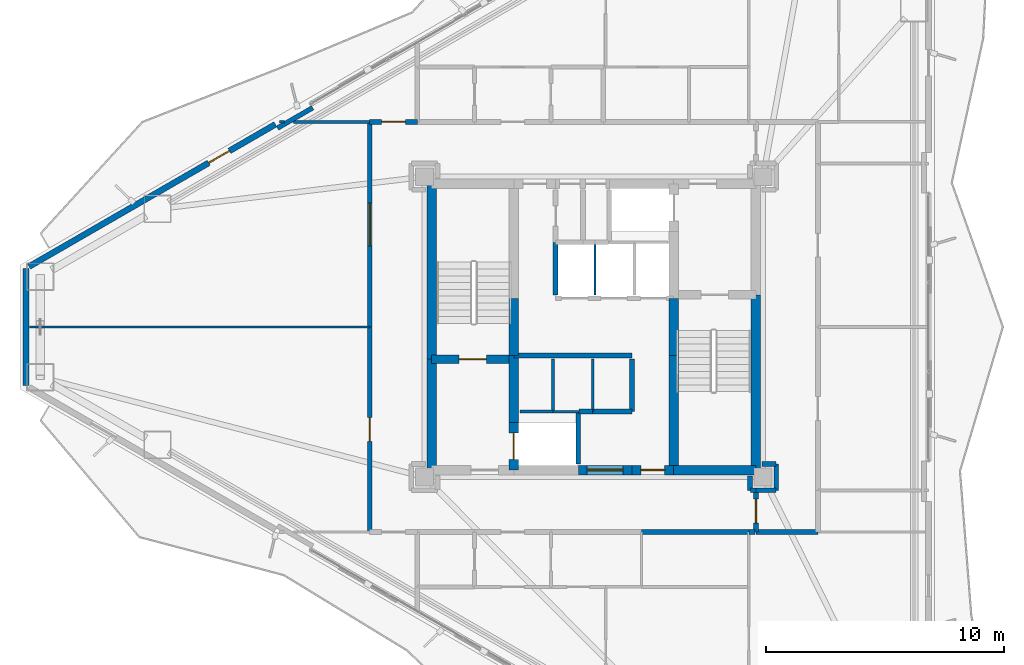
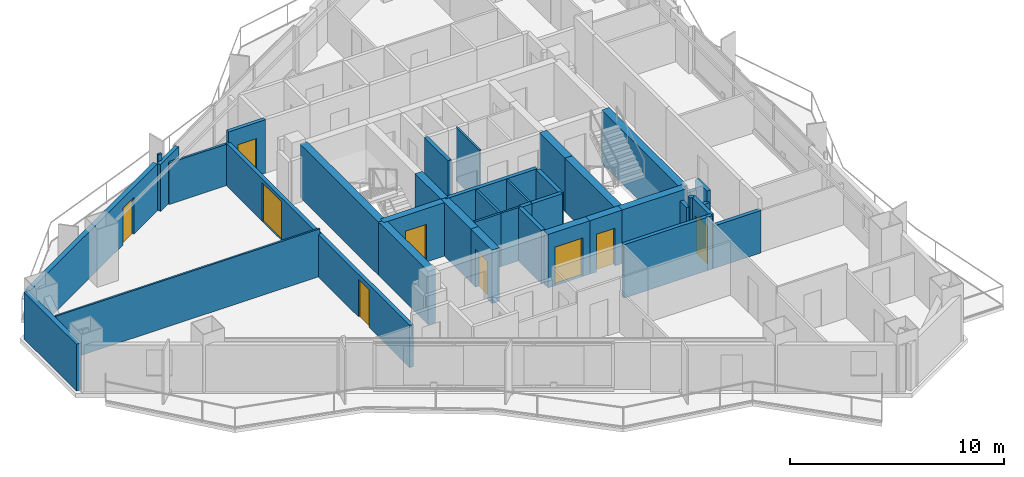
# One storey, part 16 of 22: 41 walls, 9 doors, 9 openings.
"""IFC4 building model written with IfcOpenShell, lengths in metres."""

from ifc_helpers import new_model, si_unit, direction, frame, frame_2d, origin, place, context, subcontext, project, spatial, rectangle, extrude, material, layer, layer_set, type_object, element, fill, save


model = new_model("IFC4")

# Units and contexts
model_context = context("Model", 3, precision=1e-05, world=origin(), true_north=direction((0.0, 1.0)))
body_context = subcontext(model_context, "Body", "Model", "MODEL_VIEW")
ifc_project = project(units=[si_unit("LENGTHUNIT", "METRE"), si_unit("AREAUNIT", "SQUARE_METRE"), si_unit("VOLUMEUNIT", "CUBIC_METRE"), si_unit("PLANEANGLEUNIT", "RADIAN"), si_unit("MASSUNIT", "GRAM", prefix="KILO")], contexts=[model_context])

# Site, building, storey
site_placement = place(None, origin())
site = spatial("IfcSite", under=ifc_project, at=site_placement, CompositionType="ELEMENT")
building_placement = place(site_placement, origin())
building = spatial("IfcBuilding", under=site, at=building_placement, Name="Mersakhor Tower and Convention Hall", CompositionType="ELEMENT")
storey_placement = place(building_placement, frame((0.0, 0.0, 109.800048828125)))
storey = spatial("IfcBuildingStorey", under=building, at=storey_placement, Name="L30", CompositionType="ELEMENT", Elevation=109.800048828125)

# Wall
ifc_material_1 = material(Name="Precast concrete C40/50", Category="concrete")
ifc_layer_1 = layer(ifc_material_1, 0.25)
ifc_layer_set_1 = layer_set([ifc_layer_1], Name="Precast concrete C40/50")
wall_type_1 = type_object("IfcWallType", Name="WL-EXT-250", PredefinedType="SOLIDWALL", material=ifc_layer_set_1)
wall_1_placement = place(storey_placement, frame((5.186767578125, 24.292724609375, 0.0), z_axis=(0.0, 0.0, 1.0), x_axis=(0.0, 1.0, 0.0)))
element("IfcWall", 1, at=wall_1_placement, inside=storey, type_object=wall_type_1, Name="L30 Chamfer Braced Spandrel Wall C3", PredefinedType="SOLIDWALL", context=body_context, shape_type="SweptSolid", body=[
    extrude(rectangle(XDim=4.91455078125, YDim=0.25, at=frame_2d((2.457275390625, 0.0))), origin(), (0.0, 0.0, 1.0), 2.669921875),
])

# Wall, opening, door
wall_2_placement = place(storey_placement, frame((5.316650390625, 29.2822265625, 0.0), z_axis=(0.0, 0.0, 1.0), x_axis=(0.866023023012, 0.500004123596, 0.0)))
wall_2 = element("IfcWall", 2, at=wall_2_placement, inside=storey, type_object=wall_type_1, Name="L30 Exterior Facade Wall F1-B1", PredefinedType="SOLIDWALL", context=body_context, shape_type="SweptSolid", body=[
    extrude(rectangle(XDim=11.9296875, YDim=0.25, at=frame_2d((5.96484375, 0.0))), origin(), (0.0, 0.0, 1.0), 2.669921875),
])
opening_1_placement = place(wall_2_placement, frame((8.7041015625, 0.0, 0.0)))
opening_1 = element("IfcOpeningElement", 3, at=opening_1_placement, cuts=wall_2, Name="Opening BD-01", PredefinedType="OPENING", context=body_context, shape_type="SweptSolid", body=[
    extrude(rectangle(XDim=1.0, YDim=2.10009765625, at=frame_2d((0.5, 1.050048828125))), frame((0.0, 0.135009765625, 0.0), z_axis=(0.0, -1.0, 0.0), x_axis=(1.0, 0.0, 0.0)), (0.0, 0.0, 1.0), 0.27001953125),
])
ifc_material_2 = material(Name="Thermally broken dark aluminium and safety glass", Category="aluminium")
door_type_1 = type_object("IfcDoorType", Name="DR-BAL-100x210", OperationType="NOTDEFINED", PredefinedType="DOOR", material=ifc_material_2)
door_1_placement = place(opening_1_placement, origin())
door_1 = element("IfcDoor", 4, at=door_1_placement, inside=storey, type_object=door_type_1, Name="L30 Balcony Terrace Door F1-B1", OperationType="SINGLE_SWING_LEFT", OverallHeight=2.10009765625, OverallWidth=1.0, PredefinedType="DOOR", context=body_context, shape_type="SweptSolid", body=[
    extrude(rectangle(XDim=1.0, YDim=2.10009765625, at=frame_2d((0.5, 1.050048828125))), frame((0.0, 0.02490234375, 0.0), z_axis=(0.0, -1.0, 0.0), x_axis=(1.0, 0.0, 0.0)), (0.0, 0.0, 1.0), 0.050048828125),
])
fill(opening_1, door_1)

# Walls
ifc_material_3 = material(Name="Precast concrete C40/50", Category="concrete")
ifc_layer_2 = layer(ifc_material_3, 0.199951171875)
ifc_layer_set_2 = layer_set([ifc_layer_2], Name="Precast concrete C40/50")
wall_type_2 = type_object("IfcWallType", Name="WL-PAR-200", PredefinedType="PARAPET", material=ifc_layer_set_2)
wall_3_placement = place(storey_placement, frame((15.73779296875, 35.091064453125, 0.0), z_axis=(0.0, 0.0, 1.0), x_axis=(0.866025371046, 0.500000056704, 0.0)))
element("IfcWall", 5, at=wall_3_placement, inside=storey, type_object=wall_type_2, Name="L30 Column Pier Cladding Wall F1-C1", PredefinedType="PARAPET", context=body_context, shape_type="SweptSolid", body=[
    extrude(rectangle(XDim=1.7001953125, YDim=0.199951171875, at=frame_2d((0.85009765625, 0.0))), origin(), (0.0, 0.0, 1.0), 2.669921875),
])
ifc_material_4 = material(Name="Lightweight gypsum partition", Category="other")
ifc_layer_3 = layer(ifc_material_4, 0.10009765625)
ifc_layer_set_3 = layer_set([ifc_layer_3], Name="Lightweight gypsum partition")
wall_type_3 = type_object("IfcWallType", Name="WL-PRT-100", PredefinedType="PARTITIONING", material=ifc_layer_set_3)
wall_4_placement = place(storey_placement, frame((27.300048828125, 23.199951171875, 0.0), z_axis=(0.0, 0.0, 1.0), x_axis=(1.0, 0.0, 0.0)))
element("IfcWall", 6, at=wall_4_placement, inside=storey, type_object=wall_type_3, Name="L30 Interior Partition Wall P-002", PredefinedType="PARTITIONING", context=body_context, shape_type="SweptSolid", body=[
    extrude(rectangle(XDim=1.050048828125, YDim=0.10009765625, at=frame_2d((0.52490234375, 0.0))), origin(), (0.0, 0.0, 1.0), 3.050048828125),
])
for number, where, z_axis, x_axis, name in (
    (7, (28.949951171875, 25.39990234375, 0.0), (0.0, 0.0, 1.0), (0.0, -1.0, 0.0), "L30 Interior Partition Wall P-008"),
    (8, (29.050048828125, 30.300048828125, 0.0), (0.0, 0.0, 1.0), (0.0, -1.0, 0.0), "L30 Interior Partition Wall P-014"),
):
    element("IfcWall", number, at=place(storey_placement, frame(where, z_axis=z_axis, x_axis=x_axis)), inside=storey, type_object=wall_type_3, Name=name, PredefinedType="PARTITIONING", context=body_context, shape_type="SweptSolid", body=[
        extrude(rectangle(XDim=2.199951171875, YDim=0.10009765625, at=frame_2d((1.10009765625, 0.0))), origin(), (0.0, 0.0, 1.0), 3.050048828125),
    ])
wall_5_placement = place(storey_placement, frame((16.026123046875, 35.35009765625, 0.0), z_axis=(0.0, 0.0, 1.0), x_axis=(-1.0, 0.0, 0.0)))
element("IfcWall", 9, at=wall_5_placement, inside=storey, type_object=wall_type_3, Name="L30 Interior Partition Wall P-080", PredefinedType="PARTITIONING", context=body_context, shape_type="SweptSolid", body=[
    extrude(rectangle(XDim=0.2001953125, YDim=0.10009765625, at=frame_2d((0.10009765625, 0.0))), origin(), (0.0, 0.0, 1.0), 3.050048828125),
])
wall_6_placement = place(storey_placement, frame((5.335693359375, 26.75, 0.0), z_axis=(0.0, 0.0, 1.0), x_axis=(1.0, 0.0, 0.0)))
element("IfcWall", 10, at=wall_6_placement, inside=storey, type_object=wall_type_3, Name="L30 Interior Partition Wall P-084", PredefinedType="PARTITIONING", context=body_context, shape_type="SweptSolid", body=[
    extrude(rectangle(XDim=14.264404296875, YDim=0.10009765625, at=frame_2d((7.13232421875, 0.0))), origin(), (0.0, 0.0, 1.0), 2.71435546875),
])
ifc_material_5 = material(Name="Gypsum board acoustic partition", Category="other")
ifc_layer_4 = layer(ifc_material_5, 0.125)
ifc_layer_set_4 = layer_set([ifc_layer_4], Name="Gypsum board acoustic partition")
wall_type_4 = type_object("IfcWallType", Name="WL-PRT-125", PredefinedType="PARTITIONING", material=ifc_layer_set_4)
wall_7_placement = place(storey_placement, frame((25.89990234375, 23.199951171875, 0.0), z_axis=(0.0, 0.0, 1.0), x_axis=(1.0, 0.0, 0.0)))
element("IfcWall", 11, at=wall_7_placement, inside=storey, type_object=wall_type_4, Name="L30 Interior Partition Wall P-001", PredefinedType="PARTITIONING", context=body_context, shape_type="SweptSolid", body=[
    extrude(rectangle(XDim=1.400146484375, YDim=0.125, at=frame_2d((0.7001953125, 0.0))), origin(), (0.0, 0.0, 1.0), 3.050048828125),
])
wall_8_placement = place(storey_placement, frame((27.300048828125, 25.39990234375, 0.0), z_axis=(0.0, 0.0, 1.0), x_axis=(0.0, -1.0, 0.0)))
element("IfcWall", 12, at=wall_8_placement, inside=storey, type_object=wall_type_4, Name="L30 Interior Partition Wall P-007", PredefinedType="PARTITIONING", context=body_context, shape_type="SweptSolid", body=[
    extrude(rectangle(XDim=2.199951171875, YDim=0.125, at=frame_2d((1.10009765625, 0.0))), origin(), (0.0, 0.0, 1.0), 3.050048828125),
])
wall_9_placement = place(storey_placement, frame((19.60009765625, 35.35009765625, 0.0), z_axis=(0.0, 0.0, 1.0), x_axis=(-1.0, 0.0, 0.0)))
element("IfcWall", 13, at=wall_9_placement, inside=storey, type_object=wall_type_4, Name="L30 Interior Partition Wall P-079", PredefinedType="PARTITIONING", context=body_context, shape_type="SweptSolid", body=[
    extrude(rectangle(XDim=3.188232421875, YDim=0.125, at=frame_2d((1.59423828125, 0.0))), origin(), (0.0, 0.0, 1.0), 2.364990234375),
])
ifc_material_6 = material(Name="Acoustic concrete blockwork and gypsum board", Category="masonry")
ifc_layer_5 = layer(ifc_material_6, 0.199951171875)
ifc_layer_set_5 = layer_set([ifc_layer_5], Name="Acoustic concrete blockwork and gypsum board")
wall_type_5 = type_object("IfcWallType", Name="WL-PRT-200", PredefinedType="PARTITIONING", material=ifc_layer_set_5)
wall_10_placement = place(storey_placement, frame((25.64990234375, 25.550048828125, 0.0), z_axis=(0.0, 0.0, 1.0), x_axis=(1.0, 0.0, 0.0)))
element("IfcWall", 14, at=wall_10_placement, inside=storey, type_object=wall_type_5, Name="L30 High-Rise Lift Bank Front Wall", PredefinedType="PARTITIONING", context=body_context, shape_type="SweptSolid", body=[
    extrude(rectangle(XDim=4.9501953125, YDim=0.199951171875, at=frame_2d((2.47509765625, 0.0))), origin(), (0.0, 0.0, 1.0), 3.050048828125),
])
wall_11_placement = place(storey_placement, frame((28.35009765625, 23.199951171875, 0.0), z_axis=(0.0, 0.0, 1.0), x_axis=(0.0, -1.0, 0.0)))
element("IfcWall", 15, at=wall_11_placement, inside=storey, type_object=wall_type_5, Name="L30 Interior Partition Wall P-003", PredefinedType="PARTITIONING", context=body_context, shape_type="SweptSolid", body=[
    extrude(rectangle(XDim=2.199951171875, YDim=0.199951171875, at=frame_2d((1.10009765625, 0.0))), origin(), (0.0, 0.0, 1.0), 3.050048828125),
])
wall_12_placement = place(storey_placement, frame((28.949951171875, 23.199951171875, 0.0), z_axis=(0.0, 0.0, 1.0), x_axis=(-1.0, 0.0, 0.0)))
element("IfcWall", 16, at=wall_12_placement, inside=storey, type_object=wall_type_5, Name="L30 Interior Partition Wall P-009", PredefinedType="PARTITIONING", context=body_context, shape_type="SweptSolid", body=[
    extrude(rectangle(XDim=0.570068359375, YDim=0.199951171875, at=frame_2d((0.28515625, 0.0))), origin(), (0.0, 0.0, 1.0), 3.050048828125),
])
wall_13_placement = place(storey_placement, frame((30.60009765625, 25.39990234375, 0.0), z_axis=(0.0, 0.0, 1.0), x_axis=(0.0, -1.0, 0.0)))
element("IfcWall", 17, at=wall_13_placement, inside=storey, type_object=wall_type_5, Name="L30 Interior Partition Wall P-010", PredefinedType="PARTITIONING", context=body_context, shape_type="SweptSolid", body=[
    extrude(rectangle(XDim=2.199951171875, YDim=0.199951171875, at=frame_2d((1.10009765625, 0.0))), origin(), (0.0, 0.0, 1.0), 3.050048828125),
])
wall_14_placement = place(storey_placement, frame((30.60009765625, 23.199951171875, 0.0), z_axis=(0.0, 0.0, 1.0), x_axis=(-1.0, 0.0, 0.0)))
element("IfcWall", 18, at=wall_14_placement, inside=storey, type_object=wall_type_5, Name="L30 Interior Partition Wall P-011", PredefinedType="PARTITIONING", context=body_context, shape_type="SweptSolid", body=[
    extrude(rectangle(XDim=1.650146484375, YDim=0.199951171875, at=frame_2d((0.8251953125, 0.0))), origin(), (0.0, 0.0, 1.0), 3.050048828125),
])
wall_15_placement = place(storey_placement, frame((27.39990234375, 28.10009765625, 0.0), z_axis=(0.0, 0.0, 1.0), x_axis=(0.0, 1.0, 0.0)))
element("IfcWall", 19, at=wall_15_placement, inside=storey, type_object=wall_type_5, Name="L30 Interior Partition Wall P-015", PredefinedType="PARTITIONING", context=body_context, shape_type="SweptSolid", body=[
    extrude(rectangle(XDim=2.199951171875, YDim=0.199951171875, at=frame_2d((1.10009765625, 0.0))), origin(), (0.0, 0.0, 1.0), 3.050048828125),
])
wall_16_placement = place(storey_placement, frame((35.550048828125, 20.5, 0.0), z_axis=(0.0, 0.0, 1.0), x_axis=(0.0, -1.0, 0.0)))
element("IfcWall", 20, at=wall_16_placement, inside=storey, type_object=wall_type_5, Name="L30 Interior Partition Wall P-021", PredefinedType="PARTITIONING", context=body_context, shape_type="SweptSolid", body=[
    extrude(rectangle(XDim=0.60009765625, YDim=0.199951171875, at=frame_2d((0.300048828125, 0.0))), origin(), (0.0, 0.0, 1.0), 2.498291015625),
])
wall_17_placement = place(storey_placement, frame((35.580078125, 19.89990234375, 0.0), z_axis=(0.0, 0.0, 1.0), x_axis=(1.0, 0.0, 0.0)))
element("IfcWall", 21, at=wall_17_placement, inside=storey, type_object=wall_type_5, Name="L30 Interior Partition Wall P-022", PredefinedType="PARTITIONING", context=body_context, shape_type="SweptSolid", body=[
    extrude(rectangle(XDim=0.219970703125, YDim=0.199951171875, at=frame_2d((0.10986328125, 0.0))), origin(), (0.0, 0.0, 1.0), 3.050048828125),
])

# Wall, opening, door
wall_18_placement = place(storey_placement, frame((35.800048828125, 19.89990234375, 0.0), z_axis=(0.0, 0.0, 1.0), x_axis=(0.0, -1.0, 0.0)))
wall_18 = element("IfcWall", 22, at=wall_18_placement, inside=storey, type_object=wall_type_5, Name="L30 Interior Partition Wall P-023", PredefinedType="PARTITIONING", context=body_context, shape_type="SweptSolid", body=[
    extrude(rectangle(XDim=1.75, YDim=0.199951171875, at=frame_2d((0.875, 0.0))), origin(), (0.0, 0.0, 1.0), 3.050048828125),
])
opening_2_placement = place(wall_18_placement, frame((0.375, 0.0, 0.0)))
opening_2 = element("IfcOpeningElement", 23, at=opening_2_placement, cuts=wall_18, Name="Opening FD-01", PredefinedType="OPENING", context=body_context, shape_type="SweptSolid", body=[
    extrude(rectangle(XDim=1.0, YDim=2.14990234375, at=frame_2d((0.5, 1.074951171875))), frame((0.0, 0.10986328125, 0.0), z_axis=(0.0, -1.0, 0.0), x_axis=(1.0, 0.0, 0.0)), (0.0, 0.0, 1.0), 0.219970703125),
])
ifc_material_7 = material(Name="Fire-rated hardwood leaf and painted steel frame", Category="steel")
door_type_2 = type_object("IfcDoorType", Name="DR-INT-FLT-100x215", OperationType="NOTDEFINED", PredefinedType="DOOR", material=ifc_material_7)
door_2_placement = place(opening_2_placement, origin())
door_2 = element("IfcDoor", 24, at=door_2_placement, inside=storey, type_object=door_type_2, Name="L30 Ring Corridor Fire Door", OperationType="SINGLE_SWING_LEFT", OverallHeight=2.14990234375, OverallWidth=1.0, PredefinedType="DOOR", context=body_context, shape_type="SweptSolid", body=[
    extrude(rectangle(XDim=1.0, YDim=2.14990234375, at=frame_2d((0.5, 1.074951171875))), frame((0.0, 0.02490234375, 0.0), z_axis=(0.0, -1.0, 0.0), x_axis=(1.0, 0.0, 0.0)), (0.0, 0.0, 1.0), 0.050048828125),
])
fill(opening_2, door_2)

# Walls
wall_19_placement = place(storey_placement, frame((35.77001953125, 18.14990234375, 0.0), z_axis=(0.0, 0.0, 1.0), x_axis=(-1.0, 0.0, 0.0)))
element("IfcWall", 25, at=wall_19_placement, inside=storey, type_object=wall_type_5, Name="L30 Interior Partition Wall P-024", PredefinedType="PARTITIONING", context=body_context, shape_type="SweptSolid", body=[
    extrude(rectangle(XDim=0.27001953125, YDim=0.199951171875, at=frame_2d((0.135009765625, 0.0))), origin(), (0.0, 0.0, 1.0), 3.050048828125),
])
wall_20_placement = place(storey_placement, frame((35.5, 18.14990234375, 0.0), z_axis=(0.0, 0.0, 1.0), x_axis=(-1.0, 0.0, 0.0)))
element("IfcWall", 26, at=wall_20_placement, inside=storey, type_object=wall_type_5, Name="L30 Interior Partition Wall P-025", PredefinedType="PARTITIONING", context=body_context, shape_type="SweptSolid", body=[
    extrude(rectangle(XDim=4.5, YDim=0.199951171875, at=frame_2d((2.25, 0.0))), origin(), (0.0, 0.0, 1.0), 3.050048828125),
])

# Wall, opening, door
wall_21_placement = place(storey_placement, frame((19.60009765625, 18.14990234375, 0.0), z_axis=(0.0, 0.0, 1.0), x_axis=(0.0, 1.0, 0.0)))
wall_21 = element("IfcWall", 27, at=wall_21_placement, inside=storey, type_object=wall_type_5, Name="L30 Interior Partition Wall P-030", PredefinedType="PARTITIONING", context=body_context, shape_type="SweptSolid", body=[
    extrude(rectangle(XDim=8.60009765625, YDim=0.199951171875, at=frame_2d((4.300048828125, 0.0))), origin(), (0.0, 0.0, 1.0), 2.4228515625),
])
opening_3_placement = place(wall_21_placement, frame((3.800048828125, 0.0, 0.0)))
opening_3 = element("IfcOpeningElement", 28, at=opening_3_placement, cuts=wall_21, Name="Opening FD-01", PredefinedType="OPENING", context=body_context, shape_type="SweptSolid", body=[
    extrude(rectangle(XDim=1.0, YDim=2.14990234375, at=frame_2d((0.5, 1.074951171875))), frame((0.0, 0.10986328125, 0.0), z_axis=(0.0, -1.0, 0.0), x_axis=(1.0, 0.0, 0.0)), (0.0, 0.0, 1.0), 0.219970703125),
])
door_3_placement = place(opening_3_placement, origin())
door_3 = element("IfcDoor", 29, at=door_3_placement, inside=storey, type_object=door_type_2, Name="L30 Residential Ring Corridor to L30 West Wing Shared Co-Working Office Door", OperationType="SINGLE_SWING_LEFT", OverallHeight=2.14990234375, OverallWidth=1.0, PredefinedType="DOOR", context=body_context, shape_type="SweptSolid", body=[
    extrude(rectangle(XDim=1.0, YDim=2.14990234375, at=frame_2d((0.5, 1.074951171875))), frame((0.0, 0.02490234375, 0.0), z_axis=(0.0, -1.0, 0.0), x_axis=(1.0, 0.0, 0.0)), (0.0, 0.0, 1.0), 0.050048828125),
])
fill(opening_3, door_3)

wall_22_placement = place(storey_placement, frame((19.60009765625, 26.75, 0.0), z_axis=(0.0, 0.0, 1.0), x_axis=(0.0, 1.0, 0.0)))
wall_22 = element("IfcWall", 30, at=wall_22_placement, inside=storey, type_object=wall_type_5, Name="L30 Interior Partition Wall P-031", PredefinedType="PARTITIONING", context=body_context, shape_type="SweptSolid", body=[
    extrude(rectangle(XDim=8.60009765625, YDim=0.199951171875, at=frame_2d((4.300048828125, 0.0))), origin(), (0.0, 0.0, 1.0), 2.4228515625),
])
opening_4_placement = place(wall_22_placement, frame((3.39990234375, 0.0, 0.0)))
opening_4 = element("IfcOpeningElement", 31, at=opening_4_placement, cuts=wall_22, Name="Opening HD-01", PredefinedType="OPENING", context=body_context, shape_type="SweptSolid", body=[
    extrude(rectangle(XDim=1.800048828125, YDim=2.199951171875, at=frame_2d((0.89990234375, 1.10009765625))), frame((0.0, 0.10986328125, 0.0), z_axis=(0.0, -1.0, 0.0), x_axis=(1.0, 0.0, 0.0)), (0.0, 0.0, 1.0), 0.219970703125),
])
ifc_material_8 = material(Name="Fire-rated hardwood leaf and painted steel frame", Category="steel")
door_type_3 = type_object("IfcDoorType", Name="DR-INT-HALL-180x220", OperationType="NOTDEFINED", PredefinedType="DOOR", material=ifc_material_8)
door_4_placement = place(opening_4_placement, origin())
door_4 = element("IfcDoor", 32, at=door_4_placement, inside=storey, type_object=door_type_3, Name="L30 Residential Ring Corridor to L30 West Wing Residents Library Hall Door", OperationType="DOUBLE_DOOR_SINGLE_SWING", OverallHeight=2.199951171875, OverallWidth=1.800048828125, PredefinedType="DOOR", context=body_context, shape_type="SweptSolid", body=[
    extrude(rectangle(XDim=1.800048828125, YDim=2.199951171875, at=frame_2d((0.89990234375, 1.10009765625))), frame((0.0, 0.02490234375, 0.0), z_axis=(0.0, -1.0, 0.0), x_axis=(1.0, 0.0, 0.0)), (0.0, 0.0, 1.0), 0.050048828125),
])
fill(opening_4, door_4)

wall_23_placement = place(storey_placement, frame((19.60009765625, 35.35009765625, 0.0), z_axis=(0.0, 0.0, 1.0), x_axis=(1.0, 0.0, 0.0)))
wall_23 = element("IfcWall", 33, at=wall_23_placement, inside=storey, type_object=wall_type_5, Name="L30 Interior Partition Wall P-032", PredefinedType="PARTITIONING", context=body_context, shape_type="SweptSolid", body=[
    extrude(rectangle(XDim=2.0, YDim=0.199951171875, at=frame_2d((1.0, 0.0))), origin(), (0.0, 0.0, 1.0), 3.050048828125),
])
opening_5_placement = place(wall_23_placement, frame((0.5, 0.0, 0.0)))
opening_5 = element("IfcOpeningElement", 34, at=opening_5_placement, cuts=wall_23, Name="Opening FD-01", PredefinedType="OPENING", context=body_context, shape_type="SweptSolid", body=[
    extrude(rectangle(XDim=1.0, YDim=2.14990234375, at=frame_2d((0.5, 1.074951171875))), frame((0.0, 0.10986328125, 0.0), z_axis=(0.0, -1.0, 0.0), x_axis=(1.0, 0.0, 0.0)), (0.0, 0.0, 1.0), 0.219970703125),
])
door_5_placement = place(opening_5_placement, origin())
door_5 = element("IfcDoor", 35, at=door_5_placement, inside=storey, type_object=door_type_2, Name="L30 Residential Ring Corridor to L30 North-West Quiet Focus Room 1 Door", OperationType="SINGLE_SWING_LEFT", OverallHeight=2.14990234375, OverallWidth=1.0, PredefinedType="DOOR", context=body_context, shape_type="SweptSolid", body=[
    extrude(rectangle(XDim=1.0, YDim=2.14990234375, at=frame_2d((0.5, 1.074951171875))), frame((0.0, 0.02490234375, 0.0), z_axis=(0.0, -1.0, 0.0), x_axis=(1.0, 0.0, 0.0)), (0.0, 0.0, 1.0), 0.050048828125),
])
fill(opening_5, door_5)

# Walls
wall_24_placement = place(storey_placement, frame((36.64990234375, 21.0, 0.0), z_axis=(0.0, 0.0, 1.0), x_axis=(-1.0, 0.0, 0.0)))
element("IfcWall", 36, at=wall_24_placement, inside=storey, type_object=wall_type_5, Name="L30 Interior Partition Wall P-048", PredefinedType="PARTITIONING", context=body_context, shape_type="SweptSolid", body=[
    extrude(rectangle(XDim=0.599853515625, YDim=0.199951171875, at=frame_2d((0.2998046875, 0.0))), origin(), (0.0, 0.0, 1.0), 2.498291015625),
])
wall_25_placement = place(storey_placement, frame((38.39990234375, 18.14990234375, 0.0), z_axis=(0.0, 0.0, 1.0), x_axis=(-1.0, 0.0, 0.0)))
element("IfcWall", 37, at=wall_25_placement, inside=storey, type_object=wall_type_5, Name="L30 Interior Partition Wall P-057", PredefinedType="PARTITIONING", context=body_context, shape_type="SweptSolid", body=[
    extrude(rectangle(XDim=2.599853515625, YDim=0.199951171875, at=frame_2d((1.2998046875, 0.0))), origin(), (0.0, 0.0, 1.0), 2.4228515625),
])
wall_26_placement = place(storey_placement, frame((35.800048828125, 19.89990234375, 0.0), z_axis=(0.0, 0.0, 1.0), x_axis=(1.0, 0.0, 0.0)))
element("IfcWall", 38, at=wall_26_placement, inside=storey, type_object=wall_type_5, Name="L30 Interior Partition Wall P-058", PredefinedType="PARTITIONING", context=body_context, shape_type="SweptSolid", body=[
    extrude(rectangle(XDim=0.849853515625, YDim=0.199951171875, at=frame_2d((0.4248046875, 0.0))), origin(), (0.0, 0.0, 1.0), 2.4228515625),
])
wall_27_placement = place(storey_placement, frame((36.64990234375, 19.89990234375, 0.0), z_axis=(0.0, 0.0, 1.0), x_axis=(0.0, 1.0, 0.0)))
element("IfcWall", 39, at=wall_27_placement, inside=storey, type_object=wall_type_5, Name="L30 Interior Partition Wall P-059", PredefinedType="PARTITIONING", context=body_context, shape_type="SweptSolid", body=[
    extrude(rectangle(XDim=1.10009765625, YDim=0.199951171875, at=frame_2d((0.550048828125, 0.0))), origin(), (0.0, 0.0, 1.0), 3.050048828125),
])

# Wall, opening, door
ifc_material_9 = material(Name="Concrete C50/60", Category="concrete")
ifc_layer_6 = layer(ifc_material_9, 0.35009765625)
ifc_layer_set_6 = layer_set([ifc_layer_6], Name="Concrete C50/60")
wall_type_6 = type_object("IfcWallType", Name="WL-SHR-350", PredefinedType="SHEAR", material=ifc_layer_set_6)
wall_28_placement = place(storey_placement, frame((22.199951171875, 25.39990234375, 0.0), z_axis=(0.0, 0.0, 1.0), x_axis=(1.0, 0.0, 0.0)))
wall_28 = element("IfcWall", 40, at=wall_28_placement, inside=storey, type_object=wall_type_6, Name="L30 Core Wall CS-ST1-S", PredefinedType="SHEAR", context=body_context, shape_type="SweptSolid", body=[
    extrude(rectangle(XDim=3.449951171875, YDim=0.35009765625, at=frame_2d((1.72509765625, 0.0))), origin(), (0.0, 0.0, 1.0), 3.050048828125),
])
opening_6_placement = place(wall_28_placement, frame((1.14990234375, 0.0, 0.0)))
opening_6 = element("IfcOpeningElement", 41, at=opening_6_placement, cuts=wall_28, Name="Opening SD-01", PredefinedType="OPENING", context=body_context, shape_type="SweptSolid", body=[
    extrude(rectangle(XDim=1.14990234375, YDim=2.14990234375, at=frame_2d((0.574951171875, 1.074951171875))), frame((0.0, 0.18505859375, 0.0), z_axis=(0.0, -1.0, 0.0), x_axis=(1.0, 0.0, 0.0)), (0.0, 0.0, 1.0), 0.3701171875),
])
ifc_material_10 = material(Name="Fire-rated hardwood leaf and painted steel frame", Category="steel")
door_type_4 = type_object("IfcDoorType", Name="DR-INT-STAIR-115x215", OperationType="NOTDEFINED", PredefinedType="DOOR", material=ifc_material_10)
door_6_placement = place(opening_6_placement, origin())
door_6 = element("IfcDoor", 42, at=door_6_placement, inside=storey, type_object=door_type_4, Name="L30 Exit Stair ST-1 Enclosure Door", OperationType="SINGLE_SWING_LEFT", OverallHeight=2.14990234375, OverallWidth=1.14990234375, PredefinedType="DOOR", context=body_context, shape_type="SweptSolid", body=[
    extrude(rectangle(XDim=1.14990234375, YDim=2.14990234375, at=frame_2d((0.574951171875, 1.074951171875))), frame((0.0, 0.02490234375, 0.0), z_axis=(0.0, -1.0, 0.0), x_axis=(1.0, 0.0, 0.0)), (0.0, 0.0, 1.0), 0.050048828125),
])
fill(opening_6, door_6)

# Walls
ifc_material_11 = material(Name="Concrete C60/75", Category="concrete")
ifc_layer_7 = layer(ifc_material_11, 0.39990234375)
ifc_layer_set_7 = layer_set([ifc_layer_7], Name="Concrete C60/75")
wall_type_7 = type_object("IfcWallType", Name="WL-SHR-400", PredefinedType="SHEAR", material=ifc_layer_set_7)
wall_29_placement = place(storey_placement, frame((22.199951171875, 20.75, 0.0), z_axis=(0.0, 0.0, 1.0), x_axis=(0.0, 1.0, 0.0)))
element("IfcWall", 43, at=wall_29_placement, inside=storey, type_object=wall_type_7, Name="L30 Core Wall CW-W1", PredefinedType="SHEAR", context=body_context, shape_type="SweptSolid", body=[
    extrude(rectangle(XDim=4.64990234375, YDim=0.39990234375, at=frame_2d((2.324951171875, 0.0))), origin(), (0.0, 0.0, 1.0), 3.050048828125),
])
for number, where, z_axis, x_axis, name in (
    (44, (22.199951171875, 25.39990234375, 0.0), (0.0, 0.0, 1.0), (0.0, 1.0, 0.0), "L30 Core Wall CW-W2"),
    (45, (35.800048828125, 28.10009765625, 0.0), (0.0, 0.0, 1.0), (0.0, -1.0, 0.0), "L30 Core Wall CW-E2"),
):
    element("IfcWall", number, at=place(storey_placement, frame(where, z_axis=z_axis, x_axis=x_axis)), inside=storey, type_object=wall_type_7, Name=name, PredefinedType="SHEAR", context=body_context, shape_type="SweptSolid", body=[
        extrude(rectangle(XDim=7.35009765625, YDim=0.39990234375, at=frame_2d((3.675048828125, 0.0))), origin(), (0.0, 0.0, 1.0), 3.050048828125),
    ])
wall_30_placement = place(storey_placement, frame((35.800048828125, 20.75, 0.0), z_axis=(0.0, 0.0, 1.0), x_axis=(-1.0, 0.0, 0.0)))
element("IfcWall", 46, at=wall_30_placement, inside=storey, type_object=wall_type_7, Name="L30 Core Wall CW-S1", PredefinedType="SHEAR", context=body_context, shape_type="SweptSolid", body=[
    extrude(rectangle(XDim=3.449951171875, YDim=0.39990234375, at=frame_2d((1.72509765625, 0.0))), origin(), (0.0, 0.0, 1.0), 3.050048828125),
])

# Wall, opening, door
wall_31_placement = place(storey_placement, frame((32.35009765625, 20.75, 0.0), z_axis=(0.0, 0.0, 1.0), x_axis=(-1.0, 0.0, 0.0)))
wall_31 = element("IfcWall", 47, at=wall_31_placement, inside=storey, type_object=wall_type_7, Name="L30 Core Wall CW-S2A", PredefinedType="SHEAR", context=body_context, shape_type="SweptSolid", body=[
    extrude(rectangle(XDim=1.75, YDim=0.39990234375, at=frame_2d((0.875, 0.0))), origin(), (0.0, 0.0, 1.0), 3.050048828125),
])
opening_7_placement = place(wall_31_placement, frame((0.375, 0.0, 0.0)))
opening_7 = element("IfcOpeningElement", 48, at=opening_7_placement, cuts=wall_31, Name="Opening CFD-01", PredefinedType="OPENING", context=body_context, shape_type="SweptSolid", body=[
    extrude(rectangle(XDim=1.0, YDim=2.14990234375, at=frame_2d((0.5, 1.074951171875))), frame((0.0, 0.2099609375, 0.0), z_axis=(0.0, -1.0, 0.0), x_axis=(1.0, 0.0, 0.0)), (0.0, 0.0, 1.0), 0.419921875),
])
ifc_material_12 = material(Name="Fire-rated hardwood leaf and painted steel frame", Category="steel")
door_type_5 = type_object("IfcDoorType", Name="DR-CORE-FD-100x215", OperationType="NOTDEFINED", PredefinedType="DOOR", material=ifc_material_12)
door_7_placement = place(opening_7_placement, origin())
door_7 = element("IfcDoor", 49, at=door_7_placement, inside=storey, type_object=door_type_5, Name="L30 Lift Lobby South Corridor Door", OperationType="SINGLE_SWING_RIGHT", OverallHeight=2.14990234375, OverallWidth=1.0, PredefinedType="DOOR", context=body_context, shape_type="SweptSolid", body=[
    extrude(rectangle(XDim=1.0, YDim=2.14990234375, at=frame_2d((0.5, 1.074951171875))), frame((0.0, 0.02490234375, 0.0), z_axis=(0.0, -1.0, 0.0), x_axis=(1.0, 0.0, 0.0)), (0.0, 0.0, 1.0), 0.050048828125),
])
fill(opening_7, door_7)

wall_32_placement = place(storey_placement, frame((30.60009765625, 20.75, 0.0), z_axis=(0.0, 0.0, 1.0), x_axis=(-1.0, 0.0, 0.0)))
wall_32 = element("IfcWall", 50, at=wall_32_placement, inside=storey, type_object=wall_type_7, Name="L30 Core Wall CW-S2B", PredefinedType="SHEAR", context=body_context, shape_type="SweptSolid", body=[
    extrude(rectangle(XDim=2.25, YDim=0.39990234375, at=frame_2d((1.125, 0.0))), origin(), (0.0, 0.0, 1.0), 3.050048828125),
])
opening_8_placement = place(wall_32_placement, frame((0.375, 0.0, 0.0)))
opening_8 = element("IfcOpeningElement", 51, at=opening_8_placement, cuts=wall_32, Name="Opening LD-LOB", PredefinedType="OPENING", context=body_context, shape_type="SweptSolid", body=[
    extrude(rectangle(XDim=1.5, YDim=2.199951171875, at=frame_2d((0.75, 1.10009765625))), frame((0.0, 0.2099609375, 0.0), z_axis=(0.0, -1.0, 0.0), x_axis=(1.0, 0.0, 0.0)), (0.0, 0.0, 1.0), 0.419921875),
])
ifc_material_13 = material(Name="Fire-rated hardwood leaf and painted steel frame", Category="steel")
door_type_6 = type_object("IfcDoorType", Name="DR-INT-LOB-150x220", OperationType="NOTDEFINED", PredefinedType="DOOR", material=ifc_material_13)
door_8_placement = place(opening_8_placement, origin())
door_8 = element("IfcDoor", 52, at=door_8_placement, inside=storey, type_object=door_type_6, Name="L30 Central Passenger Lift Lobby to Residential Ring Corridor Door", OperationType="DOUBLE_DOOR_SINGLE_SWING", OverallHeight=2.199951171875, OverallWidth=1.5, PredefinedType="DOOR", context=body_context, shape_type="SweptSolid", body=[
    extrude(rectangle(XDim=1.5, YDim=2.199951171875, at=frame_2d((0.75, 1.10009765625))), frame((0.0, 0.02490234375, 0.0), z_axis=(0.0, -1.0, 0.0), x_axis=(1.0, 0.0, 0.0)), (0.0, 0.0, 1.0), 0.050048828125),
])
fill(opening_8, door_8)

wall_33_placement = place(storey_placement, frame((25.64990234375, 20.75, 0.0), z_axis=(0.0, 0.0, 1.0), x_axis=(0.0, 1.0, 0.0)))
wall_33 = element("IfcWall", 53, at=wall_33_placement, inside=storey, type_object=wall_type_7, Name="L30 Core Wall CS-W-FFL", PredefinedType="SHEAR", context=body_context, shape_type="SweptSolid", body=[
    extrude(rectangle(XDim=2.0, YDim=0.39990234375, at=frame_2d((1.0, 0.0))), origin(), (0.0, 0.0, 1.0), 3.050048828125),
])
opening_9_placement = place(wall_33_placement, frame((0.449951171875, 0.0, 0.0)))
opening_9 = element("IfcOpeningElement", 54, at=opening_9_placement, cuts=wall_33, Name="Opening LD-FFL1", PredefinedType="OPENING", context=body_context, shape_type="SweptSolid", body=[
    extrude(rectangle(XDim=1.10009765625, YDim=2.14990234375, at=frame_2d((0.550048828125, 1.074951171875))), frame((0.0, 0.2099609375, 0.0), z_axis=(0.0, -1.0, 0.0), x_axis=(1.0, 0.0, 0.0)), (0.0, 0.0, 1.0), 0.419921875),
])
ifc_material_14 = material(Name="Fire-rated brushed stainless steel sliding landing door", Category="steel")
door_type_7 = type_object("IfcDoorType", Name="DR-LIFT-SLD-110x215", OperationType="NOTDEFINED", PredefinedType="DOOR", material=ifc_material_14)
door_9_placement = place(opening_9_placement, origin())
door_9 = element("IfcDoor", 55, at=door_9_placement, inside=storey, type_object=door_type_7, Name="L30 Firefighting Lift Landing Door LD-FFL1", OperationType="SLIDING_TO_LEFT", OverallHeight=2.14990234375, OverallWidth=1.10009765625, PredefinedType="DOOR", context=body_context, shape_type="SweptSolid", body=[
    extrude(rectangle(XDim=1.10009765625, YDim=2.14990234375, at=frame_2d((0.550048828125, 1.074951171875))), frame((0.0, 0.02490234375, 0.0), z_axis=(0.0, -1.0, 0.0), x_axis=(1.0, 0.0, 0.0)), (0.0, 0.0, 1.0), 0.050048828125),
])
fill(opening_9, door_9)

# Walls
wall_34_placement = place(storey_placement, frame((25.64990234375, 22.75, 0.0), z_axis=(0.0, 0.0, 1.0), x_axis=(0.0, 1.0, 0.0)))
element("IfcWall", 56, at=wall_34_placement, inside=storey, type_object=wall_type_7, Name="L30 Core Wall CS-W-MID", PredefinedType="SHEAR", context=body_context, shape_type="SweptSolid", body=[
    extrude(rectangle(XDim=2.800048828125, YDim=0.39990234375, at=frame_2d((1.39990234375, 0.0))), origin(), (0.0, 0.0, 1.0), 3.050048828125),
])
wall_35_placement = place(storey_placement, frame((25.64990234375, 25.550048828125, 0.0), z_axis=(0.0, 0.0, 1.0), x_axis=(0.0, 1.0, 0.0)))
element("IfcWall", 57, at=wall_35_placement, inside=storey, type_object=wall_type_7, Name="L30 Core Wall CS-W-LOB", PredefinedType="SHEAR", context=body_context, shape_type="SweptSolid", body=[
    extrude(rectangle(XDim=2.39990234375, YDim=0.39990234375, at=frame_2d((1.199951171875, 0.0))), origin(), (0.0, 0.0, 1.0), 3.050048828125),
])
wall_36_placement = place(storey_placement, frame((32.35009765625, 20.75, 0.0), z_axis=(0.0, 0.0, 1.0), x_axis=(0.0, 1.0, 0.0)))
element("IfcWall", 58, at=wall_36_placement, inside=storey, type_object=wall_type_7, Name="L30 Core Wall CS-E-ST2", PredefinedType="SHEAR", context=body_context, shape_type="SweptSolid", body=[
    extrude(rectangle(XDim=4.800048828125, YDim=0.39990234375, at=frame_2d((2.39990234375, 0.0))), origin(), (0.0, 0.0, 1.0), 3.050048828125),
])
wall_37_placement = place(storey_placement, frame((32.35009765625, 25.550048828125, 0.0), z_axis=(0.0, 0.0, 1.0), x_axis=(0.0, 1.0, 0.0)))
element("IfcWall", 59, at=wall_37_placement, inside=storey, type_object=wall_type_7, Name="L30 Core Wall CS-E-LOB", PredefinedType="SHEAR", context=body_context, shape_type="SweptSolid", body=[
    extrude(rectangle(XDim=2.39990234375, YDim=0.39990234375, at=frame_2d((1.199951171875, 0.0))), origin(), (0.0, 0.0, 1.0), 3.050048828125),
])

save(model, "model.ifc")
